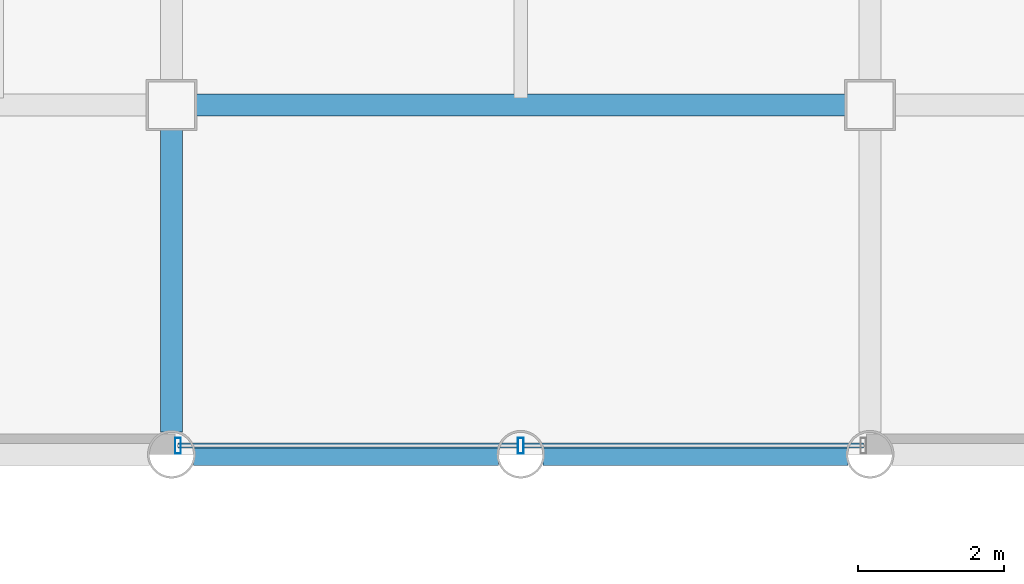
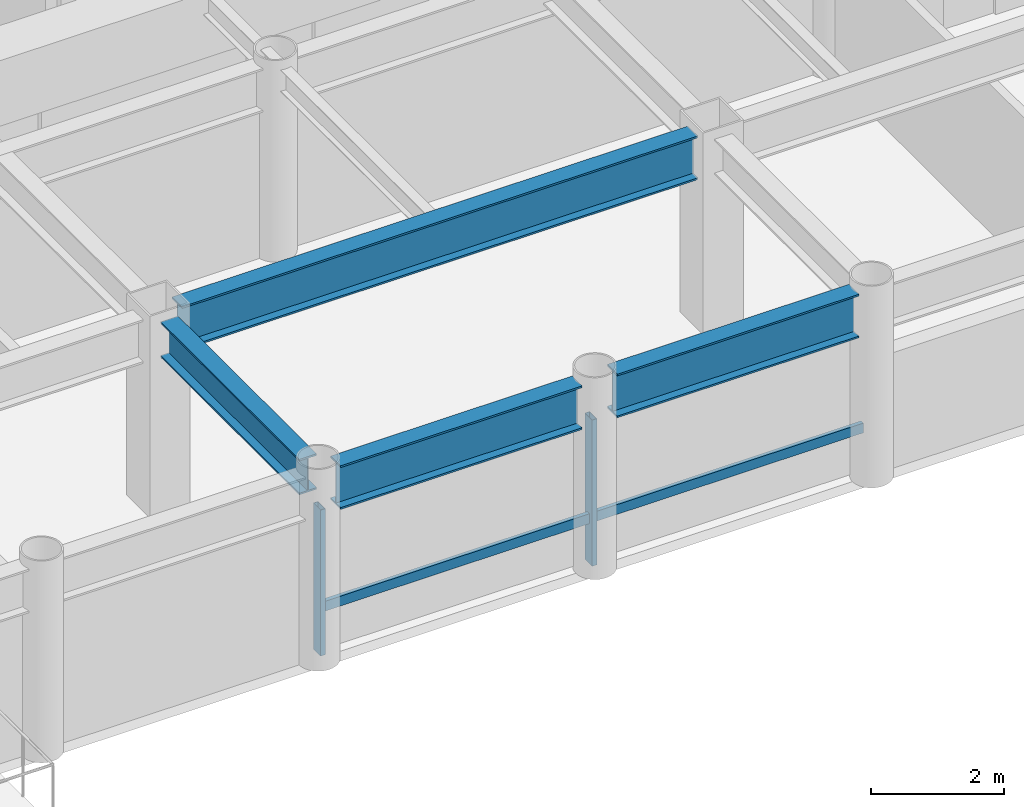
# One storey, part 2 of 22: 4 beams, 4 members, 1 element without a shape of its own.
"""IFC4 building model written with IfcOpenShell, lengths in metres."""

from ifc_helpers import new_model, si_unit, direction, frame, origin, origin_2d, place, context, subcontext, project, spatial, hollow_rectangle, i_section, extrude, material, layer, layer_set, material_profile, profile_set, type_object, element, aggregate, save


model = new_model("IFC4")

# Units and contexts
model_context = context("Model", 3, precision=1e-05, world=origin(), true_north=direction((0.0, 1.0)))
body_context = subcontext(model_context, "Body", "Model", "MODEL_VIEW")
ifc_project = project(units=[si_unit("LENGTHUNIT", "METRE"), si_unit("AREAUNIT", "SQUARE_METRE"), si_unit("VOLUMEUNIT", "CUBIC_METRE"), si_unit("PLANEANGLEUNIT", "RADIAN"), si_unit("MASSUNIT", "GRAM", prefix="KILO")], contexts=[model_context])

# Site, building, storey
site_placement = place(None, origin())
site = spatial("IfcSite", under=ifc_project, at=site_placement, CompositionType="ELEMENT")
building_placement = place(site_placement, origin())
building = spatial("IfcBuilding", under=site, at=building_placement, Name="Kallvorn Hotel Tower", CompositionType="ELEMENT")
storey_placement = place(building_placement, frame((0.0, 0.0, 102.60009765625)))
storey = spatial("IfcBuildingStorey", under=building, at=storey_placement, Name="L24", CompositionType="ELEMENT", Elevation=102.60009765625)

# Beams
ifc_material_1 = material(Name="Structural steel S355JR", Category="steel")
ifc_material_profile_1 = material_profile(ifc_material_1, i_section(OverallWidth=0.300048828125, OverallDepth=0.64990234375, WebThickness=0.01611328125, FlangeThickness=0.031005859375, at=origin_2d()), Name="HE 650 B")
ifc_profile_set_1 = profile_set([ifc_material_profile_1], Name="Structural steel S355JR")
beam_type_1 = type_object("IfcBeamType", Name="BM_HE650B", PredefinedType="BEAM", material=ifc_profile_set_1)
beam_1_placement = place(storey_placement, frame((-4.800048828125, -18.89501953125, 3.19482421875), z_axis=(0.0, 1.0, 0.0), x_axis=(-1.0, 0.0, 0.0)))
element("IfcBeam", 1, at=beam_1_placement, inside=storey, type_object=beam_type_1, Name="L25 Primary Y-Girder 105", PredefinedType="BEAM", context=body_context, shape_type="SweptSolid", body=[
    extrude(i_section(OverallWidth=0.300048828125, OverallDepth=0.64990234375, WebThickness=0.01611328125, FlangeThickness=0.031005859375, at=origin_2d()), origin(), (0.0, 0.0, 1.0), 4.169921875),
])
ifc_material_2 = material(Name="Structural steel S355JR", Category="steel")
ifc_material_profile_2 = material_profile(ifc_material_2, i_section(OverallWidth=0.300048828125, OverallDepth=0.800048828125, WebThickness=0.017578125, FlangeThickness=0.032958984375, at=origin_2d()), Name="HE 800 B")
ifc_profile_set_2 = profile_set([ifc_material_profile_2], Name="Structural steel S355JR")
beam_type_2 = type_object("IfcBeamType", Name="BM_HE800B", PredefinedType="BEAM", material=ifc_profile_set_2)
for number, where, z_axis, x_axis, name in (
    (2, (-4.4951171875, -19.199951171875, 3.119873046875), (1.0, 0.0, 0.0), (0.0, 1.0, 0.0), "L25 Primary X-Girder 06"),
    (3, (0.304931640625, -19.199951171875, 3.119873046875), (1.0, 0.0, 0.0), (0.0, 1.0, 0.0), "L25 Primary X-Girder 07"),
):
    element("IfcBeam", number, at=place(storey_placement, frame(where, z_axis=z_axis, x_axis=x_axis)), inside=storey, type_object=beam_type_2, Name=name, PredefinedType="BEAM", context=body_context, shape_type="SweptSolid", body=[
        extrude(i_section(OverallWidth=0.300048828125, OverallDepth=0.800048828125, WebThickness=0.017578125, FlangeThickness=0.032958984375, at=origin_2d()), origin(), (0.0, 0.0, 1.0), 4.190185546875),
    ])
beam_2_placement = place(storey_placement, frame((-4.47509765625, -14.39990234375, 3.119873046875), z_axis=(1.0, 0.0, 0.0), x_axis=(0.0, 1.0, 0.0)))
element("IfcBeam", 4, at=beam_2_placement, inside=storey, type_object=beam_type_2, Name="L25 Primary X-Girder 17", PredefinedType="BEAM", context=body_context, shape_type="SweptSolid", body=[
    extrude(i_section(OverallWidth=0.300048828125, OverallDepth=0.800048828125, WebThickness=0.017578125, FlangeThickness=0.032958984375, at=origin_2d()), origin(), (0.0, 0.0, 1.0), 8.9501953125),
])

# Curtain wall, members
ifc_material_3 = material(Name="Thermally broken black-anodised aluminium AA 6063-T6", Category="aluminium")
ifc_layer = layer(ifc_material_3, 0.199951171875)
ifc_layer_set = layer_set([ifc_layer], Name="CW_SYS_3_HOTEL_LOW")
curtain_wall_type = type_object("IfcCurtainWallType", Name="CW_SYS_3_HOTEL_LOW", PredefinedType="USERDEFINED", material=ifc_layer_set)
curtain_wall_placement = place(storey_placement, origin())
curtain_wall = element("IfcCurtainWall", 5, at=curtain_wall_placement, inside=storey, type_object=curtain_wall_type, Name="L24 Dark-Glass Curtain Wall CW-L24-SC", ObjectType="UNITISED CURTAIN WALL", PredefinedType="USERDEFINED")
ifc_material_4 = material(Name="Thermally broken black-anodised aluminium AA 6063-T6", Category="aluminium")
ifc_material_profile_3 = material_profile(ifc_material_4, hollow_rectangle(XDim=0.080078125, YDim=0.219970703125, WallThickness=0.0048828125, at=origin_2d()), Name="MUL 220x80")
ifc_profile_set_3 = profile_set([ifc_material_profile_3], Name="Thermally broken black-anodised aluminium AA 6063-T6")
member_type_1 = type_object("IfcMemberType", Name="CW_MULLION_220x80", PredefinedType="MULLION", material=ifc_profile_set_3)
member_1_placement = place(storey_placement, frame((-4.7099609375, -19.080078125, 0.02001953125), z_axis=(0.0, 0.0, 1.0), x_axis=(1.0, 0.0, 0.0)))
member_1 = element("IfcMember", 6, at=member_1_placement, type_object=member_type_1, Name="CW-L24-SC Mullion 00", PredefinedType="MULLION", context=body_context, shape_type="SweptSolid", body=[
    extrude(hollow_rectangle(XDim=0.080078125, YDim=0.219970703125, WallThickness=0.0048828125, at=origin_2d()), origin(), (0.0, 0.0, 1.0), 2.679931640625),
])
member_2_placement = place(storey_placement, frame((0.0, -19.080078125, 0.02001953125), z_axis=(0.0, 0.0, 1.0), x_axis=(1.0, 0.0, 0.0)))
member_2 = element("IfcMember", 7, at=member_2_placement, type_object=member_type_1, Name="CW-L24-SC Mullion 01", PredefinedType="MULLION", context=body_context, shape_type="SweptSolid", body=[
    extrude(hollow_rectangle(XDim=0.080078125, YDim=0.219970703125, WallThickness=0.0048828125, at=origin_2d()), origin(), (0.0, 0.0, 1.0), 2.679931640625),
])
ifc_material_5 = material(Name="Thermally broken black-anodised aluminium AA 6063-T6", Category="aluminium")
ifc_material_profile_4 = material_profile(ifc_material_5, hollow_rectangle(XDim=0.070068359375, YDim=0.179931640625, WallThickness=0.00390625, at=origin_2d()), Name="TRN 180x70")
ifc_profile_set_4 = profile_set([ifc_material_profile_4], Name="Thermally broken black-anodised aluminium AA 6063-T6")
member_type_2 = type_object("IfcMemberType", Name="CW_TRANSOM_180x70", PredefinedType="USERDEFINED", material=ifc_profile_set_4)
member_3_placement = place(storey_placement, frame((-4.7099609375, -19.080078125, 0.849853515625), z_axis=(1.0, 0.0, 0.0), x_axis=(0.0, 1.0, 0.0)))
member_3 = element("IfcMember", 8, at=member_3_placement, type_object=member_type_2, Name="CW-L24-SC Transom 00M", ObjectType="TRANSOM", PredefinedType="USERDEFINED", context=body_context, shape_type="SweptSolid", body=[
    extrude(hollow_rectangle(XDim=0.070068359375, YDim=0.179931640625, WallThickness=0.00390625, at=origin_2d()), origin(), (0.0, 0.0, 1.0), 4.669921875),
])
member_4_placement = place(storey_placement, frame((0.0400390625, -19.080078125, 0.849853515625), z_axis=(1.0, 0.0, 0.0), x_axis=(0.0, 1.0, 0.0)))
member_4 = element("IfcMember", 9, at=member_4_placement, type_object=member_type_2, Name="CW-L24-SC Transom 01M", ObjectType="TRANSOM", PredefinedType="USERDEFINED", context=body_context, shape_type="SweptSolid", body=[
    extrude(hollow_rectangle(XDim=0.070068359375, YDim=0.179931640625, WallThickness=0.00390625, at=origin_2d()), origin(), (0.0, 0.0, 1.0), 4.669921875),
])
aggregate(curtain_wall, [member_1, member_2, member_3, member_4])

save(model, "model.ifc")
